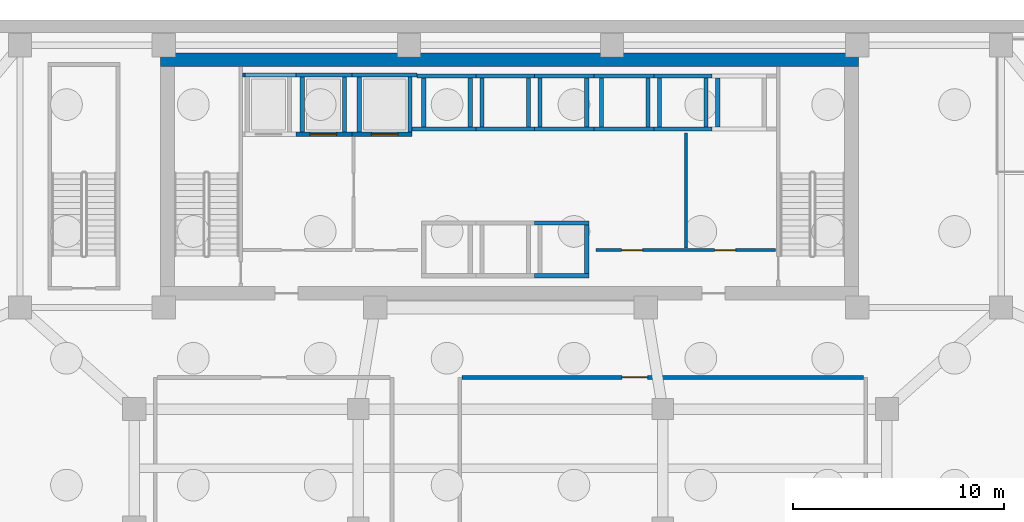
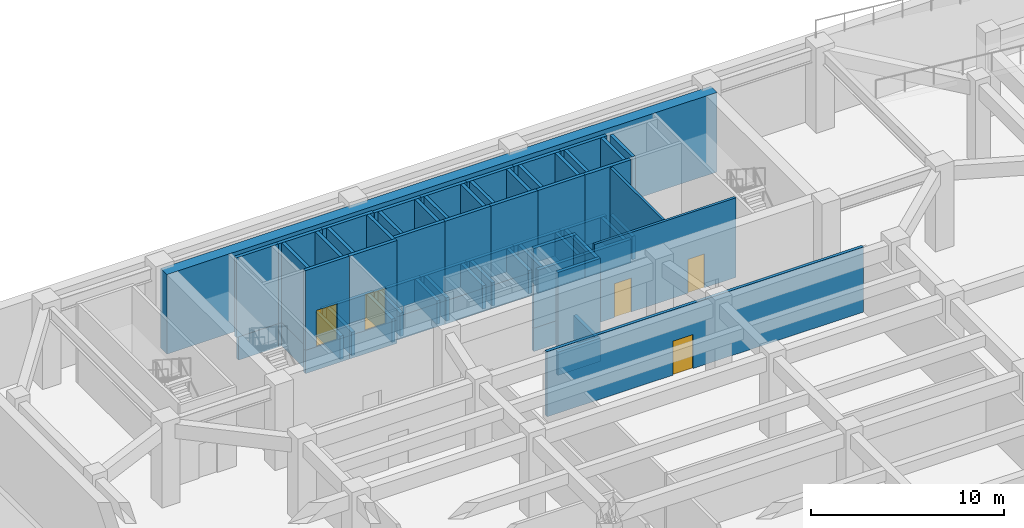
# One storey, part 10 of 18: 70 walls, 5 doors, 5 openings.
"""IFC4 building model written with IfcOpenShell, lengths in metres."""

from ifc_helpers import new_model, si_unit, direction, frame, frame_2d, origin, place, context, subcontext, project, spatial, rectangle, extrude, material, layer, layer_set, type_object, element, fill, save


model = new_model("IFC4")

# Units and contexts
model_context = context("Model", 3, precision=1e-05, world=origin(), true_north=direction((0.0, 1.0)))
body_context = subcontext(model_context, "Body", "Model", "MODEL_VIEW")
ifc_project = project(units=[si_unit("LENGTHUNIT", "METRE"), si_unit("AREAUNIT", "SQUARE_METRE"), si_unit("VOLUMEUNIT", "CUBIC_METRE"), si_unit("PLANEANGLEUNIT", "RADIAN"), si_unit("MASSUNIT", "GRAM", prefix="KILO")], contexts=[model_context])

# Site, building, storey
site_placement = place(None, origin())
site = spatial("IfcSite", under=ifc_project, at=site_placement, CompositionType="ELEMENT")
building_placement = place(site_placement, origin())
building = spatial("IfcBuilding", under=site, at=building_placement, Name="Saevonmaru Cultural Tower", CompositionType="ELEMENT")
storey_placement = place(building_placement, frame((0.0, 0.0, -10.800048828125)))
storey = spatial("IfcBuildingStorey", under=building, at=storey_placement, Name="B2", CompositionType="ELEMENT", Elevation=-10.800048828125)

# Wall
ifc_material_1 = material(Name="Concrete C60/75", Category="concrete")
ifc_layer_1 = layer(ifc_material_1, 0.64990234375, Name="Concrete C60/75")
ifc_layer_set_1 = layer_set([ifc_layer_1], Name="Concrete C60/75")
wall_type_1 = type_object("IfcWallType", Name="WL-CORE-650", PredefinedType="SHEAR", material=ifc_layer_set_1)
wall_1_placement = place(storey_placement, frame((13.449951171875, 54.125, 0.0), z_axis=(0.0, 0.0, 1.0), x_axis=(1.0, 0.0, 0.0)))
element("IfcWall", 1, at=wall_1_placement, inside=storey, type_object=wall_type_1, Name="B2 Tower RC core shear wall N", PredefinedType="SHEAR", context=body_context, shape_type="SweptSolid", body=[
    extrude(rectangle(XDim=33.0, YDim=0.64990234375, at=frame_2d((16.5, 0.0))), origin(), (0.0, 0.0, 1.0), 5.050048828125),
])

# Wall, openings, doors
ifc_material_2 = material(Name="Gypsum Fireboard Partition", Category="gypsum")
ifc_layer_2 = layer(ifc_material_2, 0.14990234375, Name="Gypsum Fireboard Partition")
ifc_layer_set_2 = layer_set([ifc_layer_2], Name="Gypsum Fireboard Partition")
wall_type_2 = type_object("IfcWallType", Name="WL-CORE-PART-150", PredefinedType="PARTITIONING", material=ifc_layer_set_2)
wall_2_placement = place(storey_placement, frame((34.050048828125, 45.1201171875, 0.0), z_axis=(0.0, 0.0, 1.0), x_axis=(1.0, 0.0, 0.0)))
wall_2 = element("IfcWall", 2, at=wall_2_placement, inside=storey, type_object=wall_type_2, Name="B2 Basement Core Plant Wall", PredefinedType="PARTITIONING", context=body_context, shape_type="SweptSolid", body=[
    extrude(rectangle(XDim=8.469970703125, YDim=0.14990234375, at=frame_2d((4.23486328125, 0.0))), origin(), (0.0, 0.0, 1.0), 5.050048828125),
])
opening_1_placement = place(wall_2_placement, frame((1.199951171875, 0.0, 0.0)))
opening_1 = element("IfcOpeningElement", 3, at=opening_1_placement, cuts=wall_2, Name="Opening FD-3", PredefinedType="OPENING", context=body_context, shape_type="SweptSolid", body=[
    extrude(rectangle(XDim=1.0, YDim=2.14990234375, at=frame_2d((0.5, 1.074951171875))), frame((0.0, 0.0849609375, 0.0), z_axis=(0.0, -1.0, 0.0), x_axis=(1.0, 0.0, 0.0)), (0.0, 0.0, 1.0), 0.169921875),
])
opening_2_placement = place(wall_2_placement, frame((5.60009765625, 0.0, 0.0)))
opening_2 = element("IfcOpeningElement", 4, at=opening_2_placement, cuts=wall_2, Name="Opening FD-3", PredefinedType="OPENING", context=body_context, shape_type="SweptSolid", body=[
    extrude(rectangle(XDim=1.0, YDim=2.14990234375, at=frame_2d((0.5, 1.074951171875))), frame((0.0, 0.0849609375, 0.0), z_axis=(0.0, -1.0, 0.0), x_axis=(1.0, 0.0, 0.0)), (0.0, 0.0, 1.0), 0.169921875),
])
ifc_material_3 = material(Name="Satin Bronze Anodised Aluminium", Category="aluminium")
door_type_1 = type_object("IfcDoorType", Name="DR-FD60-1000", OperationType="SINGLE_SWING_RIGHT", PredefinedType="DOOR", material=ifc_material_3)
door_1_placement = place(opening_1_placement, origin())
door_1 = element("IfcDoor", 5, at=door_1_placement, inside=storey, type_object=door_type_1, Name="B2 Smoke Extract Plant Door", OperationType="SINGLE_SWING_RIGHT", OverallHeight=2.14990234375, OverallWidth=1.0, PredefinedType="DOOR", context=body_context, shape_type="SweptSolid", body=[
    extrude(rectangle(XDim=1.0, YDim=2.14990234375, at=frame_2d((0.5, 1.074951171875))), frame((0.0, 0.02490234375, 0.0), z_axis=(0.0, -1.0, 0.0), x_axis=(1.0, 0.0, 0.0)), (0.0, 0.0, 1.0), 0.050048828125),
])
fill(opening_1, door_1)
door_2_placement = place(opening_2_placement, origin())
door_2 = element("IfcDoor", 6, at=door_2_placement, inside=storey, type_object=door_type_1, Name="B2 Main Switchroom Door", OperationType="SINGLE_SWING_RIGHT", OverallHeight=2.14990234375, OverallWidth=1.0, PredefinedType="DOOR", context=body_context, shape_type="SweptSolid", body=[
    extrude(rectangle(XDim=1.0, YDim=2.14990234375, at=frame_2d((0.5, 1.074951171875))), frame((0.0, 0.02490234375, 0.0), z_axis=(0.0, -1.0, 0.0), x_axis=(1.0, 0.0, 0.0)), (0.0, 0.0, 1.0), 0.050048828125),
])
fill(opening_2, door_2)

# Wall
wall_3_placement = place(storey_placement, frame((38.300048828125, 45.219970703125, 0.0), z_axis=(0.0, 0.0, 1.0), x_axis=(0.0, 1.0, 0.0)))
element("IfcWall", 7, at=wall_3_placement, inside=storey, type_object=wall_type_2, Name="B2 Basement Core Divider", PredefinedType="PARTITIONING", context=body_context, shape_type="SweptSolid", body=[
    extrude(rectangle(XDim=5.429931640625, YDim=0.14990234375, at=frame_2d((2.71484375, 0.0))), origin(), (0.0, 0.0, 1.0), 5.050048828125),
])

# Wall, opening, door
ifc_layer_3 = layer(ifc_material_2, 0.179931640625, Name="Gypsum Fireboard Partition")
ifc_layer_set_3 = layer_set([ifc_layer_3], Name="Gypsum Fireboard Partition")
wall_type_3 = type_object("IfcWallType", Name="WL-PART-PLANT-180", PredefinedType="PARTITIONING", material=ifc_layer_set_3)
wall_4_placement = place(storey_placement, frame((27.7099609375, 39.10009765625, 0.0), z_axis=(0.0, 0.0, 1.0), x_axis=(1.0, 0.0, 0.0)))
wall_4 = element("IfcWall", 8, at=wall_4_placement, inside=storey, type_object=wall_type_3, Name="B2 Substation North Wall", PredefinedType="PARTITIONING", context=body_context, shape_type="SweptSolid", body=[
    extrude(rectangle(XDim=18.97998046875, YDim=0.179931640625, at=frame_2d((9.489990234375, 0.0))), origin(), (0.0, 0.0, 1.0), 4.135009765625),
])
opening_3_placement = place(wall_4_placement, frame((7.570068359375, 0.0, 0.0)))
opening_3 = element("IfcOpeningElement", 9, at=opening_3_placement, cuts=wall_4, Name="Opening FD-1", PredefinedType="OPENING", context=body_context, shape_type="SweptSolid", body=[
    extrude(rectangle(XDim=1.199951171875, YDim=2.14990234375, at=frame_2d((0.60009765625, 1.074951171875))), frame((0.0, 0.10009765625, 0.0), z_axis=(0.0, -1.0, 0.0), x_axis=(1.0, 0.0, 0.0)), (0.0, 0.0, 1.0), 0.199951171875),
])
door_type_2 = type_object("IfcDoorType", Name="DR-FD60-1200", OperationType="DOUBLE_DOOR_SINGLE_SWING", PredefinedType="DOOR", material=ifc_material_3)
door_3_placement = place(opening_3_placement, origin())
door_3 = element("IfcDoor", 10, at=door_3_placement, inside=storey, type_object=door_type_2, Name="B2 HV Substation Door", OperationType="DOUBLE_DOOR_SINGLE_SWING", OverallHeight=2.14990234375, OverallWidth=1.199951171875, PredefinedType="DOOR", context=body_context, shape_type="SweptSolid", body=[
    extrude(rectangle(XDim=1.199951171875, YDim=2.14990234375, at=frame_2d((0.60009765625, 1.074951171875))), frame((0.0, 0.02490234375, 0.0), z_axis=(0.0, -1.0, 0.0), x_axis=(1.0, 0.0, 0.0)), (0.0, 0.0, 1.0), 0.050048828125),
])
fill(opening_3, door_3)

# Walls
ifc_material_4 = material(Name="Concrete C40/50", Category="concrete")
ifc_layer_4 = layer(ifc_material_4, 0.199951171875, Name="Concrete C40/50")
ifc_layer_set_4 = layer_set([ifc_layer_4], Name="Concrete C40/50")
wall_type_4 = type_object("IfcWallType", Name="WL-SHAFT-200", PredefinedType="SHEAR", material=ifc_layer_set_4)
wall_5_placement = place(storey_placement, frame((17.449951171875, 53.39990234375, -1.47998046875), z_axis=(0.0, 0.0, 1.0), x_axis=(1.0, 0.0, 0.0)))
element("IfcWall", 11, at=wall_5_placement, inside=storey, type_object=wall_type_4, Name="Lift FFL-1 Pit Wall N", PredefinedType="SHEAR", context=body_context, shape_type="SweptSolid", body=[
    extrude(rectangle(XDim=2.400146484375, YDim=0.199951171875, at=frame_2d((1.2001953125, 0.0))), origin(), (0.0, 0.0, 1.0), 1.47998046875),
])
wall_6_placement = place(storey_placement, frame((17.330078125, 53.39990234375, 0.0), z_axis=(0.0, 0.0, 1.0), x_axis=(1.0, 0.0, 0.0)))
element("IfcWall", 12, at=wall_6_placement, inside=storey, type_object=wall_type_4, Name="B2 Lift FFL-1 Hoistway Wall N", PredefinedType="SHEAR", context=body_context, shape_type="SweptSolid", body=[
    extrude(rectangle(XDim=2.52001953125, YDim=0.199951171875, at=frame_2d((1.260009765625, 0.0))), origin(), (0.0, 0.0, 1.0), 5.050048828125),
])
for number, where, z_axis, x_axis, name in (
    (13, (19.85009765625, 50.60009765625, -1.47998046875), (0.0, 0.0, 1.0), (1.0, 0.0, 0.0), "Lift FFL-2 Pit Wall S"),
    (14, (19.85009765625, 53.39990234375, -1.47998046875), (0.0, 0.0, 1.0), (1.0, 0.0, 0.0), "Lift FFL-2 Pit Wall N"),
):
    element("IfcWall", number, at=place(storey_placement, frame(where, z_axis=z_axis, x_axis=x_axis)), inside=storey, type_object=wall_type_4, Name=name, PredefinedType="SHEAR", context=body_context, shape_type="SweptSolid", body=[
        extrude(rectangle(XDim=2.64990234375, YDim=0.199951171875, at=frame_2d((1.324951171875, 0.0))), origin(), (0.0, 0.0, 1.0), 1.47998046875),
    ])
for number, where, z_axis, x_axis, name in (
    (15, (20.14990234375, 50.699951171875, -1.47998046875), (0.0, 0.0, 1.0), (0.0, 1.0, 0.0), "Lift FFL-2 Pit Wall W"),
    (16, (22.14990234375, 50.699951171875, -1.47998046875), (0.0, 0.0, 1.0), (0.0, 1.0, 0.0), "Lift FFL-2 Pit Wall E"),
):
    element("IfcWall", number, at=place(storey_placement, frame(where, z_axis=z_axis, x_axis=x_axis)), inside=storey, type_object=wall_type_4, Name=name, PredefinedType="SHEAR", context=body_context, shape_type="SweptSolid", body=[
        extrude(rectangle(XDim=2.60009765625, YDim=0.199951171875, at=frame_2d((1.300048828125, 0.0))), origin(), (0.0, 0.0, 1.0), 1.47998046875),
    ])

# Wall, opening, door
wall_7_placement = place(storey_placement, frame((19.85009765625, 50.60009765625, 0.0), z_axis=(0.0, 0.0, 1.0), x_axis=(1.0, 0.0, 0.0)))
wall_7 = element("IfcWall", 17, at=wall_7_placement, inside=storey, type_object=wall_type_4, Name="B2 Lift FFL-2 Hoistway Wall S", PredefinedType="SHEAR", context=body_context, shape_type="SweptSolid", body=[
    extrude(rectangle(XDim=2.64990234375, YDim=0.199951171875, at=frame_2d((1.324951171875, 0.0))), origin(), (0.0, 0.0, 1.0), 5.050048828125),
])
opening_4_placement = place(wall_7_placement, frame((0.675048828125, 0.0, 0.0)))
opening_4 = element("IfcOpeningElement", 18, at=opening_4_placement, cuts=wall_7, Name="Opening LD-2", PredefinedType="OPENING", context=body_context, shape_type="SweptSolid", body=[
    extrude(rectangle(XDim=1.25, YDim=2.300048828125, at=frame_2d((0.625, 1.14990234375))), frame((0.0, 0.10986328125, 0.0), z_axis=(0.0, -1.0, 0.0), x_axis=(1.0, 0.0, 0.0)), (0.0, 0.0, 1.0), 0.219970703125),
])
ifc_material_5 = material(Name="Stainless Steel 316", Category="steel")
door_type_3 = type_object("IfcDoorType", Name="DR-LIFT-1250", OperationType="SLIDING_TO_LEFT", PredefinedType="DOOR", material=ifc_material_5)
door_4_placement = place(opening_4_placement, origin())
door_4 = element("IfcDoor", 19, at=door_4_placement, inside=storey, type_object=door_type_3, Name="B2 Lift FFL-2 Sliding Landing Door", OperationType="SLIDING_TO_LEFT", OverallHeight=2.300048828125, OverallWidth=1.25, PredefinedType="DOOR", context=body_context, shape_type="SweptSolid", body=[
    extrude(rectangle(XDim=1.25, YDim=2.300048828125, at=frame_2d((0.625, 1.14990234375))), frame((0.0, 0.02490234375, 0.0), z_axis=(0.0, -1.0, 0.0), x_axis=(1.0, 0.0, 0.0)), (0.0, 0.0, 1.0), 0.050048828125),
])
fill(opening_4, door_4)

# Walls
wall_8_placement = place(storey_placement, frame((19.85009765625, 53.39990234375, 0.0), z_axis=(0.0, 0.0, 1.0), x_axis=(1.0, 0.0, 0.0)))
element("IfcWall", 20, at=wall_8_placement, inside=storey, type_object=wall_type_4, Name="B2 Lift FFL-2 Hoistway Wall N", PredefinedType="SHEAR", context=body_context, shape_type="SweptSolid", body=[
    extrude(rectangle(XDim=2.64990234375, YDim=0.199951171875, at=frame_2d((1.324951171875, 0.0))), origin(), (0.0, 0.0, 1.0), 5.050048828125),
])
for number, where, z_axis, x_axis, name in (
    (21, (20.14990234375, 50.699951171875, 0.0), (0.0, 0.0, 1.0), (0.0, 1.0, 0.0), "B2 Lift FFL-2 Hoistway Wall W"),
    (22, (22.14990234375, 50.699951171875, 0.0), (0.0, 0.0, 1.0), (0.0, 1.0, 0.0), "B2 Lift FFL-2 Hoistway Wall E"),
):
    element("IfcWall", number, at=place(storey_placement, frame(where, z_axis=z_axis, x_axis=x_axis)), inside=storey, type_object=wall_type_4, Name=name, PredefinedType="SHEAR", context=body_context, shape_type="SweptSolid", body=[
        extrude(rectangle(XDim=2.60009765625, YDim=0.199951171875, at=frame_2d((1.300048828125, 0.0))), origin(), (0.0, 0.0, 1.0), 5.050048828125),
    ])
wall_9_placement = place(storey_placement, frame((22.5, 50.60009765625, -1.47998046875), z_axis=(0.0, 0.0, 1.0), x_axis=(1.0, 0.0, 0.0)))
element("IfcWall", 23, at=wall_9_placement, inside=storey, type_object=wall_type_4, Name="Lift GL-1 Pit Wall S", PredefinedType="SHEAR", context=body_context, shape_type="SweptSolid", body=[
    extrude(rectangle(XDim=2.85009765625, YDim=0.199951171875, at=frame_2d((1.425048828125, 0.0))), origin(), (0.0, 0.0, 1.0), 1.47998046875),
])
wall_10_placement = place(storey_placement, frame((22.5, 53.39990234375, -1.47998046875), z_axis=(0.0, 0.0, 1.0), x_axis=(1.0, 0.0, 0.0)))
element("IfcWall", 24, at=wall_10_placement, inside=storey, type_object=wall_type_4, Name="Lift GL-1 Pit Wall N", PredefinedType="SHEAR", context=body_context, shape_type="SweptSolid", body=[
    extrude(rectangle(XDim=3.074951171875, YDim=0.199951171875, at=frame_2d((1.53759765625, 0.0))), origin(), (0.0, 0.0, 1.0), 1.47998046875),
])
for number, where, z_axis, x_axis, name in (
    (25, (22.85009765625, 50.699951171875, -1.47998046875), (0.0, 0.0, 1.0), (0.0, 1.0, 0.0), "Lift GL-1 Pit Wall W"),
    (26, (25.25, 50.699951171875, -1.47998046875), (0.0, 0.0, 1.0), (0.0, 1.0, 0.0), "Lift GL-1 Pit Wall E"),
):
    element("IfcWall", number, at=place(storey_placement, frame(where, z_axis=z_axis, x_axis=x_axis)), inside=storey, type_object=wall_type_4, Name=name, PredefinedType="SHEAR", context=body_context, shape_type="SweptSolid", body=[
        extrude(rectangle(XDim=2.60009765625, YDim=0.199951171875, at=frame_2d((1.300048828125, 0.0))), origin(), (0.0, 0.0, 1.0), 1.47998046875),
    ])

# Wall, opening, door
wall_11_placement = place(storey_placement, frame((22.5, 50.60009765625, 0.0), z_axis=(0.0, 0.0, 1.0), x_axis=(1.0, 0.0, 0.0)))
wall_11 = element("IfcWall", 27, at=wall_11_placement, inside=storey, type_object=wall_type_4, Name="B2 Lift GL-1 Hoistway Wall S", PredefinedType="SHEAR", context=body_context, shape_type="SweptSolid", body=[
    extrude(rectangle(XDim=2.85009765625, YDim=0.199951171875, at=frame_2d((1.425048828125, 0.0))), origin(), (0.0, 0.0, 1.0), 5.050048828125),
])
opening_5_placement = place(wall_11_placement, frame((0.925048828125, 0.0, 0.0)))
opening_5 = element("IfcOpeningElement", 28, at=opening_5_placement, cuts=wall_11, Name="Opening LD-2", PredefinedType="OPENING", context=body_context, shape_type="SweptSolid", body=[
    extrude(rectangle(XDim=1.25, YDim=2.300048828125, at=frame_2d((0.625, 1.14990234375))), frame((0.0, 0.10986328125, 0.0), z_axis=(0.0, -1.0, 0.0), x_axis=(1.0, 0.0, 0.0)), (0.0, 0.0, 1.0), 0.219970703125),
])
door_5_placement = place(opening_5_placement, origin())
door_5 = element("IfcDoor", 29, at=door_5_placement, inside=storey, type_object=door_type_3, Name="B2 Lift GL-1 Sliding Landing Door", OperationType="SLIDING_TO_LEFT", OverallHeight=2.300048828125, OverallWidth=1.25, PredefinedType="DOOR", context=body_context, shape_type="SweptSolid", body=[
    extrude(rectangle(XDim=1.25, YDim=2.300048828125, at=frame_2d((0.625, 1.14990234375))), frame((0.0, 0.02490234375, 0.0), z_axis=(0.0, -1.0, 0.0), x_axis=(1.0, 0.0, 0.0)), (0.0, 0.0, 1.0), 0.050048828125),
])
fill(opening_5, door_5)

# Walls
wall_12_placement = place(storey_placement, frame((22.5, 53.39990234375, 0.0), z_axis=(0.0, 0.0, 1.0), x_axis=(1.0, 0.0, 0.0)))
element("IfcWall", 30, at=wall_12_placement, inside=storey, type_object=wall_type_4, Name="B2 Lift GL-1 Hoistway Wall N", PredefinedType="SHEAR", context=body_context, shape_type="SweptSolid", body=[
    extrude(rectangle(XDim=3.074951171875, YDim=0.199951171875, at=frame_2d((1.53759765625, 0.0))), origin(), (0.0, 0.0, 1.0), 5.050048828125),
])
for number, where, z_axis, x_axis, name in (
    (31, (22.85009765625, 50.699951171875, 0.0), (0.0, 0.0, 1.0), (0.0, 1.0, 0.0), "B2 Lift GL-1 Hoistway Wall W"),
    (32, (25.25, 50.699951171875, 0.0), (0.0, 0.0, 1.0), (0.0, 1.0, 0.0), "B2 Lift GL-1 Hoistway Wall E"),
):
    element("IfcWall", number, at=place(storey_placement, frame(where, z_axis=z_axis, x_axis=x_axis)), inside=storey, type_object=wall_type_4, Name=name, PredefinedType="SHEAR", context=body_context, shape_type="SweptSolid", body=[
        extrude(rectangle(XDim=2.60009765625, YDim=0.199951171875, at=frame_2d((1.300048828125, 0.0))), origin(), (0.0, 0.0, 1.0), 5.050048828125),
    ])
wall_13_placement = place(storey_placement, frame((25.35009765625, 50.85009765625, -1.47998046875), z_axis=(0.0, 0.0, 1.0), x_axis=(1.0, 0.0, 0.0)))
element("IfcWall", 33, at=wall_13_placement, inside=storey, type_object=wall_type_4, Name="Lift PL-L1 Pit Wall S", PredefinedType="SHEAR", context=body_context, shape_type="SweptSolid", body=[
    extrude(rectangle(XDim=3.02490234375, YDim=0.199951171875, at=frame_2d((1.512451171875, 0.0))), origin(), (0.0, 0.0, 1.0), 1.47998046875),
])
wall_14_placement = place(storey_placement, frame((25.574951171875, 53.35009765625, -1.47998046875), z_axis=(0.0, 0.0, 1.0), x_axis=(1.0, 0.0, 0.0)))
element("IfcWall", 34, at=wall_14_placement, inside=storey, type_object=wall_type_4, Name="Lift PL-L1 Pit Wall N", PredefinedType="SHEAR", context=body_context, shape_type="SweptSolid", body=[
    extrude(rectangle(XDim=2.800048828125, YDim=0.199951171875, at=frame_2d((1.39990234375, 0.0))), origin(), (0.0, 0.0, 1.0), 1.47998046875),
])
for number, where, z_axis, x_axis, name in (
    (35, (25.89990234375, 50.949951171875, -1.47998046875), (0.0, 0.0, 1.0), (0.0, 1.0, 0.0), "Lift PL-L1 Pit Wall W"),
    (36, (28.10009765625, 50.949951171875, -1.47998046875), (0.0, 0.0, 1.0), (0.0, 1.0, 0.0), "Lift PL-L1 Pit Wall E"),
):
    element("IfcWall", number, at=place(storey_placement, frame(where, z_axis=z_axis, x_axis=x_axis)), inside=storey, type_object=wall_type_4, Name=name, PredefinedType="SHEAR", context=body_context, shape_type="SweptSolid", body=[
        extrude(rectangle(XDim=2.300048828125, YDim=0.199951171875, at=frame_2d((1.14990234375, 0.0))), origin(), (0.0, 0.0, 1.0), 1.47998046875),
    ])
wall_15_placement = place(storey_placement, frame((25.35009765625, 50.85009765625, 0.0), z_axis=(0.0, 0.0, 1.0), x_axis=(1.0, 0.0, 0.0)))
element("IfcWall", 37, at=wall_15_placement, inside=storey, type_object=wall_type_4, Name="B2 Lift PL-L1 Hoistway Wall S", PredefinedType="SHEAR", context=body_context, shape_type="SweptSolid", body=[
    extrude(rectangle(XDim=3.02490234375, YDim=0.199951171875, at=frame_2d((1.512451171875, 0.0))), origin(), (0.0, 0.0, 1.0), 5.050048828125),
])
wall_16_placement = place(storey_placement, frame((25.574951171875, 53.35009765625, 0.0), z_axis=(0.0, 0.0, 1.0), x_axis=(1.0, 0.0, 0.0)))
element("IfcWall", 38, at=wall_16_placement, inside=storey, type_object=wall_type_4, Name="B2 Lift PL-L1 Hoistway Wall N", PredefinedType="SHEAR", context=body_context, shape_type="SweptSolid", body=[
    extrude(rectangle(XDim=2.800048828125, YDim=0.199951171875, at=frame_2d((1.39990234375, 0.0))), origin(), (0.0, 0.0, 1.0), 5.050048828125),
])
for number, where, z_axis, x_axis, name in (
    (39, (25.89990234375, 50.949951171875, 0.0), (0.0, 0.0, 1.0), (0.0, 1.0, 0.0), "B2 Lift PL-L1 Hoistway Wall W"),
    (40, (28.10009765625, 50.949951171875, 0.0), (0.0, 0.0, 1.0), (0.0, 1.0, 0.0), "B2 Lift PL-L1 Hoistway Wall E"),
):
    element("IfcWall", number, at=place(storey_placement, frame(where, z_axis=z_axis, x_axis=x_axis)), inside=storey, type_object=wall_type_4, Name=name, PredefinedType="SHEAR", context=body_context, shape_type="SweptSolid", body=[
        extrude(rectangle(XDim=2.300048828125, YDim=0.199951171875, at=frame_2d((1.14990234375, 0.0))), origin(), (0.0, 0.0, 1.0), 5.050048828125),
    ])
for number, where, z_axis, x_axis, name in (
    (41, (28.375, 50.85009765625, -1.47998046875), (0.0, 0.0, 1.0), (1.0, 0.0, 0.0), "Lift PL-L2 Pit Wall S"),
    (42, (28.375, 53.35009765625, -1.47998046875), (0.0, 0.0, 1.0), (1.0, 0.0, 0.0), "Lift PL-L2 Pit Wall N"),
):
    element("IfcWall", number, at=place(storey_placement, frame(where, z_axis=z_axis, x_axis=x_axis)), inside=storey, type_object=wall_type_4, Name=name, PredefinedType="SHEAR", context=body_context, shape_type="SweptSolid", body=[
        extrude(rectangle(XDim=2.75, YDim=0.199951171875, at=frame_2d((1.375, 0.0))), origin(), (0.0, 0.0, 1.0), 1.47998046875),
    ])
for number, where, z_axis, x_axis, name in (
    (43, (28.64990234375, 50.949951171875, -1.47998046875), (0.0, 0.0, 1.0), (0.0, 1.0, 0.0), "Lift PL-L2 Pit Wall W"),
    (44, (30.85009765625, 50.949951171875, -1.47998046875), (0.0, 0.0, 1.0), (0.0, 1.0, 0.0), "Lift PL-L2 Pit Wall E"),
):
    element("IfcWall", number, at=place(storey_placement, frame(where, z_axis=z_axis, x_axis=x_axis)), inside=storey, type_object=wall_type_4, Name=name, PredefinedType="SHEAR", context=body_context, shape_type="SweptSolid", body=[
        extrude(rectangle(XDim=2.300048828125, YDim=0.199951171875, at=frame_2d((1.14990234375, 0.0))), origin(), (0.0, 0.0, 1.0), 1.47998046875),
    ])
for number, where, z_axis, x_axis, name in (
    (45, (28.375, 50.85009765625, 0.0), (0.0, 0.0, 1.0), (1.0, 0.0, 0.0), "B2 Lift PL-L2 Hoistway Wall S"),
    (46, (28.375, 53.35009765625, 0.0), (0.0, 0.0, 1.0), (1.0, 0.0, 0.0), "B2 Lift PL-L2 Hoistway Wall N"),
):
    element("IfcWall", number, at=place(storey_placement, frame(where, z_axis=z_axis, x_axis=x_axis)), inside=storey, type_object=wall_type_4, Name=name, PredefinedType="SHEAR", context=body_context, shape_type="SweptSolid", body=[
        extrude(rectangle(XDim=2.75, YDim=0.199951171875, at=frame_2d((1.375, 0.0))), origin(), (0.0, 0.0, 1.0), 5.050048828125),
    ])
for number, where, z_axis, x_axis, name in (
    (47, (28.64990234375, 50.949951171875, 0.0), (0.0, 0.0, 1.0), (0.0, 1.0, 0.0), "B2 Lift PL-L2 Hoistway Wall W"),
    (48, (30.85009765625, 50.949951171875, 0.0), (0.0, 0.0, 1.0), (0.0, 1.0, 0.0), "B2 Lift PL-L2 Hoistway Wall E"),
):
    element("IfcWall", number, at=place(storey_placement, frame(where, z_axis=z_axis, x_axis=x_axis)), inside=storey, type_object=wall_type_4, Name=name, PredefinedType="SHEAR", context=body_context, shape_type="SweptSolid", body=[
        extrude(rectangle(XDim=2.300048828125, YDim=0.199951171875, at=frame_2d((1.14990234375, 0.0))), origin(), (0.0, 0.0, 1.0), 5.050048828125),
    ])
for number, where, z_axis, x_axis, name in (
    (49, (31.125, 50.85009765625, -1.47998046875), (0.0, 0.0, 1.0), (1.0, 0.0, 0.0), "Lift PL-L3 Pit Wall S"),
    (50, (31.125, 53.35009765625, -1.47998046875), (0.0, 0.0, 1.0), (1.0, 0.0, 0.0), "Lift PL-L3 Pit Wall N"),
):
    element("IfcWall", number, at=place(storey_placement, frame(where, z_axis=z_axis, x_axis=x_axis)), inside=storey, type_object=wall_type_4, Name=name, PredefinedType="SHEAR", context=body_context, shape_type="SweptSolid", body=[
        extrude(rectangle(XDim=2.824951171875, YDim=0.199951171875, at=frame_2d((1.41259765625, 0.0))), origin(), (0.0, 0.0, 1.0), 1.47998046875),
    ])
for number, where, z_axis, x_axis, name in (
    (51, (31.39990234375, 50.949951171875, -1.47998046875), (0.0, 0.0, 1.0), (0.0, 1.0, 0.0), "Lift PL-L3 Pit Wall W"),
    (52, (33.60009765625, 50.949951171875, -1.47998046875), (0.0, 0.0, 1.0), (0.0, 1.0, 0.0), "Lift PL-L3 Pit Wall E"),
):
    element("IfcWall", number, at=place(storey_placement, frame(where, z_axis=z_axis, x_axis=x_axis)), inside=storey, type_object=wall_type_4, Name=name, PredefinedType="SHEAR", context=body_context, shape_type="SweptSolid", body=[
        extrude(rectangle(XDim=2.300048828125, YDim=0.199951171875, at=frame_2d((1.14990234375, 0.0))), origin(), (0.0, 0.0, 1.0), 1.47998046875),
    ])
for number, where, z_axis, x_axis, name in (
    (53, (31.125, 50.85009765625, 0.0), (0.0, 0.0, 1.0), (1.0, 0.0, 0.0), "B2 Lift PL-L3 Hoistway Wall S"),
    (54, (31.125, 53.35009765625, 0.0), (0.0, 0.0, 1.0), (1.0, 0.0, 0.0), "B2 Lift PL-L3 Hoistway Wall N"),
):
    element("IfcWall", number, at=place(storey_placement, frame(where, z_axis=z_axis, x_axis=x_axis)), inside=storey, type_object=wall_type_4, Name=name, PredefinedType="SHEAR", context=body_context, shape_type="SweptSolid", body=[
        extrude(rectangle(XDim=2.824951171875, YDim=0.199951171875, at=frame_2d((1.41259765625, 0.0))), origin(), (0.0, 0.0, 1.0), 5.050048828125),
    ])
for number, where, z_axis, x_axis, name in (
    (55, (31.39990234375, 50.949951171875, 0.0), (0.0, 0.0, 1.0), (0.0, 1.0, 0.0), "B2 Lift PL-L3 Hoistway Wall W"),
    (56, (33.60009765625, 50.949951171875, 0.0), (0.0, 0.0, 1.0), (0.0, 1.0, 0.0), "B2 Lift PL-L3 Hoistway Wall E"),
):
    element("IfcWall", number, at=place(storey_placement, frame(where, z_axis=z_axis, x_axis=x_axis)), inside=storey, type_object=wall_type_4, Name=name, PredefinedType="SHEAR", context=body_context, shape_type="SweptSolid", body=[
        extrude(rectangle(XDim=2.300048828125, YDim=0.199951171875, at=frame_2d((1.14990234375, 0.0))), origin(), (0.0, 0.0, 1.0), 5.050048828125),
    ])
for number, where, z_axis, x_axis, name in (
    (57, (31.125, 43.89990234375, -1.47998046875), (0.0, 0.0, 1.0), (1.0, 0.0, 0.0), "Lift PL-M3 Pit Wall S"),
    (58, (31.125, 46.39990234375, -1.47998046875), (0.0, 0.0, 1.0), (1.0, 0.0, 0.0), "Lift PL-M3 Pit Wall N"),
):
    element("IfcWall", number, at=place(storey_placement, frame(where, z_axis=z_axis, x_axis=x_axis)), inside=storey, type_object=wall_type_4, Name=name, PredefinedType="SHEAR", context=body_context, shape_type="SweptSolid", body=[
        extrude(rectangle(XDim=2.574951171875, YDim=0.199951171875, at=frame_2d((1.28759765625, 0.0))), origin(), (0.0, 0.0, 1.0), 1.47998046875),
    ])
wall_17_placement = place(storey_placement, frame((33.60009765625, 44.0, -1.47998046875), z_axis=(0.0, 0.0, 1.0), x_axis=(0.0, 1.0, 0.0)))
element("IfcWall", 59, at=wall_17_placement, inside=storey, type_object=wall_type_4, Name="Lift PL-M3 Pit Wall E", PredefinedType="SHEAR", context=body_context, shape_type="SweptSolid", body=[
    extrude(rectangle(XDim=2.300048828125, YDim=0.199951171875, at=frame_2d((1.14990234375, 0.0))), origin(), (0.0, 0.0, 1.0), 1.47998046875),
])
for number, where, z_axis, x_axis, name in (
    (60, (31.125, 43.89990234375, 0.0), (0.0, 0.0, 1.0), (1.0, 0.0, 0.0), "B2 Lift PL-M3 Hoistway Wall S"),
    (61, (31.125, 46.39990234375, 0.0), (0.0, 0.0, 1.0), (1.0, 0.0, 0.0), "B2 Lift PL-M3 Hoistway Wall N"),
):
    element("IfcWall", number, at=place(storey_placement, frame(where, z_axis=z_axis, x_axis=x_axis)), inside=storey, type_object=wall_type_4, Name=name, PredefinedType="SHEAR", context=body_context, shape_type="SweptSolid", body=[
        extrude(rectangle(XDim=2.574951171875, YDim=0.199951171875, at=frame_2d((1.28759765625, 0.0))), origin(), (0.0, 0.0, 1.0), 5.050048828125),
    ])
wall_18_placement = place(storey_placement, frame((33.60009765625, 44.0, 0.0), z_axis=(0.0, 0.0, 1.0), x_axis=(0.0, 1.0, 0.0)))
element("IfcWall", 62, at=wall_18_placement, inside=storey, type_object=wall_type_4, Name="B2 Lift PL-M3 Hoistway Wall E", PredefinedType="SHEAR", context=body_context, shape_type="SweptSolid", body=[
    extrude(rectangle(XDim=2.300048828125, YDim=0.199951171875, at=frame_2d((1.14990234375, 0.0))), origin(), (0.0, 0.0, 1.0), 5.050048828125),
])
for number, where, z_axis, x_axis, name in (
    (63, (33.949951171875, 50.85009765625, -1.47998046875), (0.0, 0.0, 1.0), (1.0, 0.0, 0.0), "Lift PL-H1 Pit Wall S"),
    (64, (33.949951171875, 53.35009765625, -1.47998046875), (0.0, 0.0, 1.0), (1.0, 0.0, 0.0), "Lift PL-H1 Pit Wall N"),
):
    element("IfcWall", number, at=place(storey_placement, frame(where, z_axis=z_axis, x_axis=x_axis)), inside=storey, type_object=wall_type_4, Name=name, PredefinedType="SHEAR", context=body_context, shape_type="SweptSolid", body=[
        extrude(rectangle(XDim=2.824951171875, YDim=0.199951171875, at=frame_2d((1.41259765625, 0.0))), origin(), (0.0, 0.0, 1.0), 1.47998046875),
    ])
for number, where, z_axis, x_axis, name in (
    (65, (34.300048828125, 50.949951171875, -1.47998046875), (0.0, 0.0, 1.0), (0.0, 1.0, 0.0), "Lift PL-H1 Pit Wall W"),
    (66, (36.5, 50.949951171875, -1.47998046875), (0.0, 0.0, 1.0), (0.0, 1.0, 0.0), "Lift PL-H1 Pit Wall E"),
):
    element("IfcWall", number, at=place(storey_placement, frame(where, z_axis=z_axis, x_axis=x_axis)), inside=storey, type_object=wall_type_4, Name=name, PredefinedType="SHEAR", context=body_context, shape_type="SweptSolid", body=[
        extrude(rectangle(XDim=2.300048828125, YDim=0.199951171875, at=frame_2d((1.14990234375, 0.0))), origin(), (0.0, 0.0, 1.0), 1.47998046875),
    ])
for number, where, z_axis, x_axis, name in (
    (67, (33.949951171875, 50.85009765625, 0.0), (0.0, 0.0, 1.0), (1.0, 0.0, 0.0), "B2 Lift PL-H1 Hoistway Wall S"),
    (68, (33.949951171875, 53.35009765625, 0.0), (0.0, 0.0, 1.0), (1.0, 0.0, 0.0), "B2 Lift PL-H1 Hoistway Wall N"),
):
    element("IfcWall", number, at=place(storey_placement, frame(where, z_axis=z_axis, x_axis=x_axis)), inside=storey, type_object=wall_type_4, Name=name, PredefinedType="SHEAR", context=body_context, shape_type="SweptSolid", body=[
        extrude(rectangle(XDim=2.824951171875, YDim=0.199951171875, at=frame_2d((1.41259765625, 0.0))), origin(), (0.0, 0.0, 1.0), 5.050048828125),
    ])
for number, where, z_axis, x_axis, name in (
    (69, (34.300048828125, 50.949951171875, 0.0), (0.0, 0.0, 1.0), (0.0, 1.0, 0.0), "B2 Lift PL-H1 Hoistway Wall W"),
    (70, (36.5, 50.949951171875, 0.0), (0.0, 0.0, 1.0), (0.0, 1.0, 0.0), "B2 Lift PL-H1 Hoistway Wall E"),
):
    element("IfcWall", number, at=place(storey_placement, frame(where, z_axis=z_axis, x_axis=x_axis)), inside=storey, type_object=wall_type_4, Name=name, PredefinedType="SHEAR", context=body_context, shape_type="SweptSolid", body=[
        extrude(rectangle(XDim=2.300048828125, YDim=0.199951171875, at=frame_2d((1.14990234375, 0.0))), origin(), (0.0, 0.0, 1.0), 5.050048828125),
    ])
for number, where, z_axis, x_axis, name in (
    (71, (36.77490234375, 50.85009765625, -1.47998046875), (0.0, 0.0, 1.0), (1.0, 0.0, 0.0), "Lift PL-H2 Pit Wall S"),
    (72, (36.77490234375, 53.35009765625, -1.47998046875), (0.0, 0.0, 1.0), (1.0, 0.0, 0.0), "Lift PL-H2 Pit Wall N"),
):
    element("IfcWall", number, at=place(storey_placement, frame(where, z_axis=z_axis, x_axis=x_axis)), inside=storey, type_object=wall_type_4, Name=name, PredefinedType="SHEAR", context=body_context, shape_type="SweptSolid", body=[
        extrude(rectangle(XDim=2.75, YDim=0.199951171875, at=frame_2d((1.375, 0.0))), origin(), (0.0, 0.0, 1.0), 1.47998046875),
    ])
for number, where, z_axis, x_axis, name in (
    (73, (37.050048828125, 50.949951171875, -1.47998046875), (0.0, 0.0, 1.0), (0.0, 1.0, 0.0), "Lift PL-H2 Pit Wall W"),
    (74, (39.25, 50.949951171875, -1.47998046875), (0.0, 0.0, 1.0), (0.0, 1.0, 0.0), "Lift PL-H2 Pit Wall E"),
):
    element("IfcWall", number, at=place(storey_placement, frame(where, z_axis=z_axis, x_axis=x_axis)), inside=storey, type_object=wall_type_4, Name=name, PredefinedType="SHEAR", context=body_context, shape_type="SweptSolid", body=[
        extrude(rectangle(XDim=2.300048828125, YDim=0.199951171875, at=frame_2d((1.14990234375, 0.0))), origin(), (0.0, 0.0, 1.0), 1.47998046875),
    ])
for number, where, z_axis, x_axis, name in (
    (75, (36.77490234375, 50.85009765625, 0.0), (0.0, 0.0, 1.0), (1.0, 0.0, 0.0), "B2 Lift PL-H2 Hoistway Wall S"),
    (76, (36.77490234375, 53.35009765625, 0.0), (0.0, 0.0, 1.0), (1.0, 0.0, 0.0), "B2 Lift PL-H2 Hoistway Wall N"),
):
    element("IfcWall", number, at=place(storey_placement, frame(where, z_axis=z_axis, x_axis=x_axis)), inside=storey, type_object=wall_type_4, Name=name, PredefinedType="SHEAR", context=body_context, shape_type="SweptSolid", body=[
        extrude(rectangle(XDim=2.75, YDim=0.199951171875, at=frame_2d((1.375, 0.0))), origin(), (0.0, 0.0, 1.0), 5.050048828125),
    ])
for number, where, z_axis, x_axis, name in (
    (77, (37.050048828125, 50.949951171875, 0.0), (0.0, 0.0, 1.0), (0.0, 1.0, 0.0), "B2 Lift PL-H2 Hoistway Wall W"),
    (78, (39.25, 50.949951171875, 0.0), (0.0, 0.0, 1.0), (0.0, 1.0, 0.0), "B2 Lift PL-H2 Hoistway Wall E"),
):
    element("IfcWall", number, at=place(storey_placement, frame(where, z_axis=z_axis, x_axis=x_axis)), inside=storey, type_object=wall_type_4, Name=name, PredefinedType="SHEAR", context=body_context, shape_type="SweptSolid", body=[
        extrude(rectangle(XDim=2.300048828125, YDim=0.199951171875, at=frame_2d((1.14990234375, 0.0))), origin(), (0.0, 0.0, 1.0), 5.050048828125),
    ])
wall_19_placement = place(storey_placement, frame((39.800048828125, 50.949951171875, -1.47998046875), z_axis=(0.0, 0.0, 1.0), x_axis=(0.0, 1.0, 0.0)))
element("IfcWall", 79, at=wall_19_placement, inside=storey, type_object=wall_type_4, Name="Lift PL-H3 Pit Wall W", PredefinedType="SHEAR", context=body_context, shape_type="SweptSolid", body=[
    extrude(rectangle(XDim=2.300048828125, YDim=0.199951171875, at=frame_2d((1.14990234375, 0.0))), origin(), (0.0, 0.0, 1.0), 1.47998046875),
])
wall_20_placement = place(storey_placement, frame((39.800048828125, 50.949951171875, 0.0), z_axis=(0.0, 0.0, 1.0), x_axis=(0.0, 1.0, 0.0)))
element("IfcWall", 80, at=wall_20_placement, inside=storey, type_object=wall_type_4, Name="B2 Lift PL-H3 Hoistway Wall W", PredefinedType="SHEAR", context=body_context, shape_type="SweptSolid", body=[
    extrude(rectangle(XDim=2.300048828125, YDim=0.199951171875, at=frame_2d((1.14990234375, 0.0))), origin(), (0.0, 0.0, 1.0), 5.050048828125),
])

save(model, "model.ifc")
